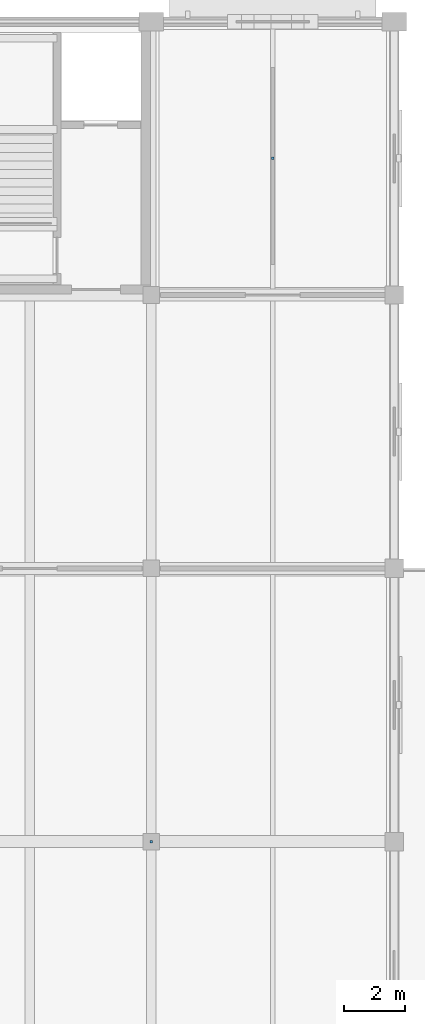
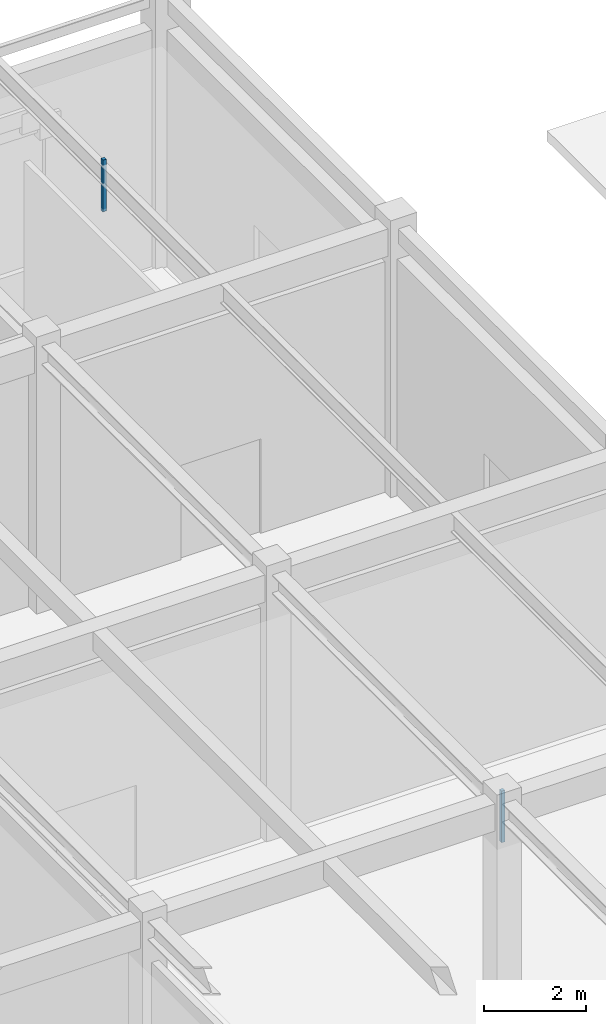
# One storey, part 151 of 163: 2 discrete accessories.
"""IFC4 building model written with IfcOpenShell, lengths in metres."""

from ifc_helpers import new_model, si_unit, direction, frame, origin, origin_2d, place, context, subcontext, project, spatial, rectangle, extrude, material, layer, layer_set, type_object, element, save


model = new_model("IFC4")

# Units and contexts
model_context = context("Model", 3, precision=1e-05, world=origin(), true_north=direction((0.0, 1.0)))
body_context = subcontext(model_context, "Body", "Model", "MODEL_VIEW")
ifc_project = project(units=[si_unit("LENGTHUNIT", "METRE"), si_unit("AREAUNIT", "SQUARE_METRE"), si_unit("VOLUMEUNIT", "CUBIC_METRE"), si_unit("PLANEANGLEUNIT", "RADIAN"), si_unit("MASSUNIT", "GRAM", prefix="KILO")], contexts=[model_context])

# Site, building, storey
site_placement = place(None, origin())
site = spatial("IfcSite", under=ifc_project, at=site_placement, CompositionType="ELEMENT")
building_placement = place(site_placement, origin())
building = spatial("IfcBuilding", under=site, at=building_placement, Name="Varnabhumi Central Station", CompositionType="ELEMENT")
storey_placement = place(building_placement, frame((0.0, 0.0, 9.60009765625)))
storey = spatial("IfcBuildingStorey", under=building, at=storey_placement, Name="L02", CompositionType="ELEMENT", Elevation=9.60009765625)

# Discrete accessories
ifc_material = material(Name="Structural steel E350", Category="steel")
ifc_layer = layer(ifc_material, 0.159912109375, Name="Structural steel E350", Category="steel")
ifc_layer_set = layer_set([ifc_layer], Name="Structural steel E350")
discrete_accessory_type = type_object("IfcDiscreteAccessoryType", Name="ACC-SHADE-BRKT", PredefinedType="BRACKET", material=ifc_layer_set)
for number, where, z_axis, x_axis, name in (
    (1, (140.0, 111.5, 5.239990234375), (0.0, 0.0, 1.0), (1.0, 0.0, 0.0), "Passenger Cultural Exhibition and Community Room Ceiling Hanger"),
    (2, (136.0, 89.0, 5.239990234375), (0.0, 0.0, 1.0), (1.0, 0.0, 0.0), "North General Waiting Hall Ceiling Hanger"),
):
    element("IfcDiscreteAccessory", number, at=place(storey_placement, frame(where, z_axis=z_axis, x_axis=x_axis)), inside=storey, type_object=discrete_accessory_type, Name=name, PredefinedType="BRACKET", context=body_context, shape_type="SweptSolid", body=[
        extrude(rectangle(XDim=0.080078125, YDim=0.080078125, at=origin_2d()), origin(), (0.0, 0.0, 1.0), 1.22998046875),
    ])

save(model, "model.ifc")
